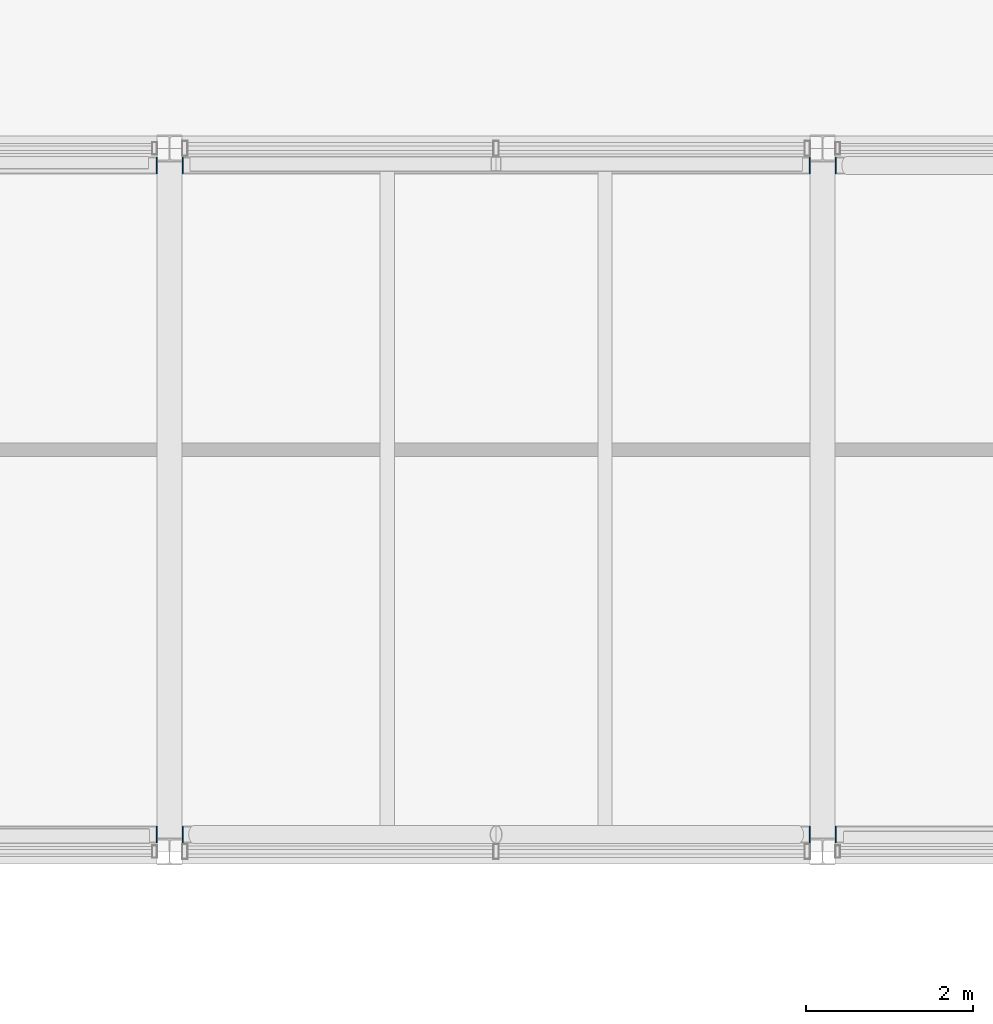
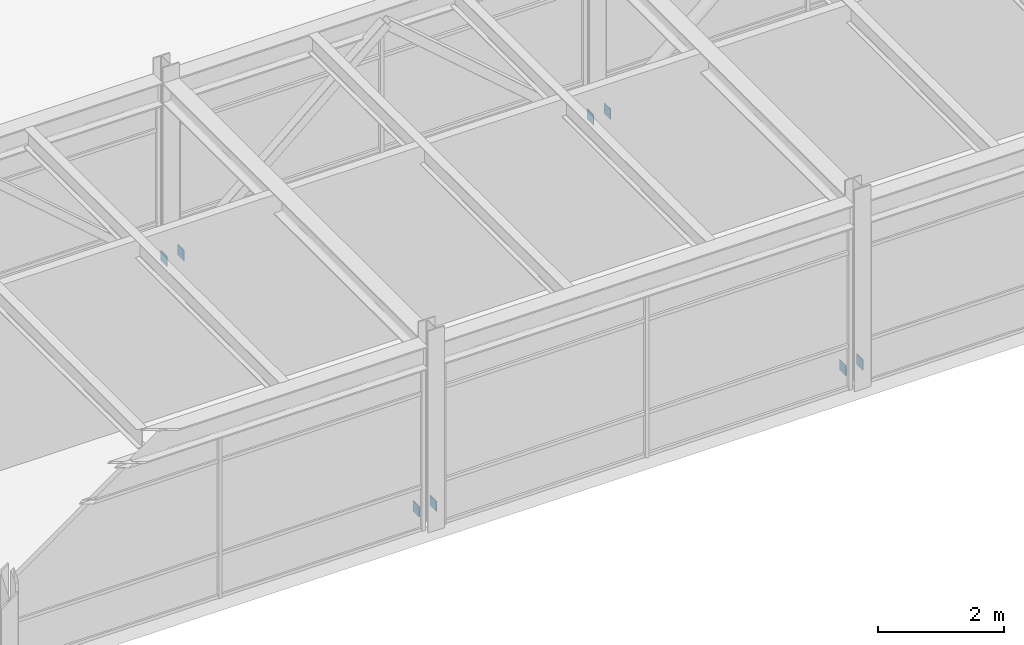
# One storey, part 45 of 72: 8 plates.
"""IFC4 building model written with IfcOpenShell, lengths in metres."""

from ifc_helpers import new_model, si_unit, direction, frame, origin, origin_2d, place, context, subcontext, project, spatial, rectangle, extrude, material, layer, layer_set, type_object, element, save


model = new_model("IFC4")

# Units and contexts
model_context = context("Model", 3, precision=1e-05, world=origin(), true_north=direction((0.0, 1.0)))
body_context = subcontext(model_context, "Body", "Model", "MODEL_VIEW")
ifc_project = project(units=[si_unit("LENGTHUNIT", "METRE"), si_unit("AREAUNIT", "SQUARE_METRE"), si_unit("VOLUMEUNIT", "CUBIC_METRE"), si_unit("PLANEANGLEUNIT", "RADIAN"), si_unit("MASSUNIT", "GRAM", prefix="KILO"), si_unit("THERMODYNAMICTEMPERATUREUNIT", "KELVIN"), si_unit("POWERUNIT", "WATT")], contexts=[model_context])

# Site, building, storey
site_placement = place(None, origin())
site = spatial("IfcSite", under=ifc_project, at=site_placement, CompositionType="ELEMENT")
building_placement = place(site_placement, origin())
building = spatial("IfcBuilding", under=site, at=building_placement, Name="Srebrne Nadtorze General Hospital", CompositionType="ELEMENT")
storey_placement = place(building_placement, frame((0.0, 0.0, 22.199951171875)))
storey = spatial("IfcBuildingStorey", under=building, at=storey_placement, Name="L05", CompositionType="ELEMENT", Elevation=22.199951171875)

# Plates
ifc_material = material(Name="Steel S355J2", Category="steel")
ifc_layer = layer(ifc_material, 0.011962890625)
ifc_layer_set = layer_set([ifc_layer], Name="Steel S355J2")
plate_type = type_object("IfcPlateType", Name="Steel bearing plate 12", PredefinedType="SHEET", material=ifc_layer_set)
for number, where, z_axis, x_axis, name in (
    (1, (77.843994140625, 50.60498046875, 0.14990234375), (0.0, 0.0, 1.0), (1.0, 0.0, 0.0), "Clinical courtyard bridge truss chord end plate 3-2"),
    (2, (78.156005859375, 50.60498046875, 0.14990234375), (0.0, 0.0, 1.0), (1.0, 0.0, 0.0), "Clinical courtyard bridge truss chord end plate 4-1"),
    (3, (85.64404296875, 50.60498046875, 0.14990234375), (0.0, 0.0, 1.0), (1.0, 0.0, 0.0), "Clinical courtyard bridge truss chord end plate 4-2"),
    (4, (85.9560546875, 50.60498046875, 0.14990234375), (0.0, 0.0, 1.0), (1.0, 0.0, 0.0), "Clinical courtyard bridge truss chord end plate 5-1"),
    (5, (77.843994140625, 58.594970703125, 0.14990234375), (0.0, 0.0, 1.0), (1.0, 0.0, 0.0), "Clinical courtyard bridge truss chord end plate 9-2"),
    (6, (78.156005859375, 58.594970703125, 0.14990234375), (0.0, 0.0, 1.0), (1.0, 0.0, 0.0), "Clinical courtyard bridge truss chord end plate 10-1"),
    (7, (85.64404296875, 58.594970703125, 0.14990234375), (0.0, 0.0, 1.0), (1.0, 0.0, 0.0), "Clinical courtyard bridge truss chord end plate 10-2"),
    (8, (85.9560546875, 58.594970703125, 0.14990234375), (0.0, 0.0, 1.0), (1.0, 0.0, 0.0), "Clinical courtyard bridge truss chord end plate 11-1"),
):
    element("IfcPlate", number, at=place(storey_placement, frame(where, z_axis=z_axis, x_axis=x_axis)), inside=storey, type_object=plate_type, Name=name, PredefinedType="SHEET", context=body_context, shape_type="SweptSolid", body=[
        extrude(rectangle(XDim=0.011962890625, YDim=0.199951171875, at=origin_2d()), origin(), (0.0, 0.0, 1.0), 0.199951171875),
    ])

save(model, "model.ifc")
